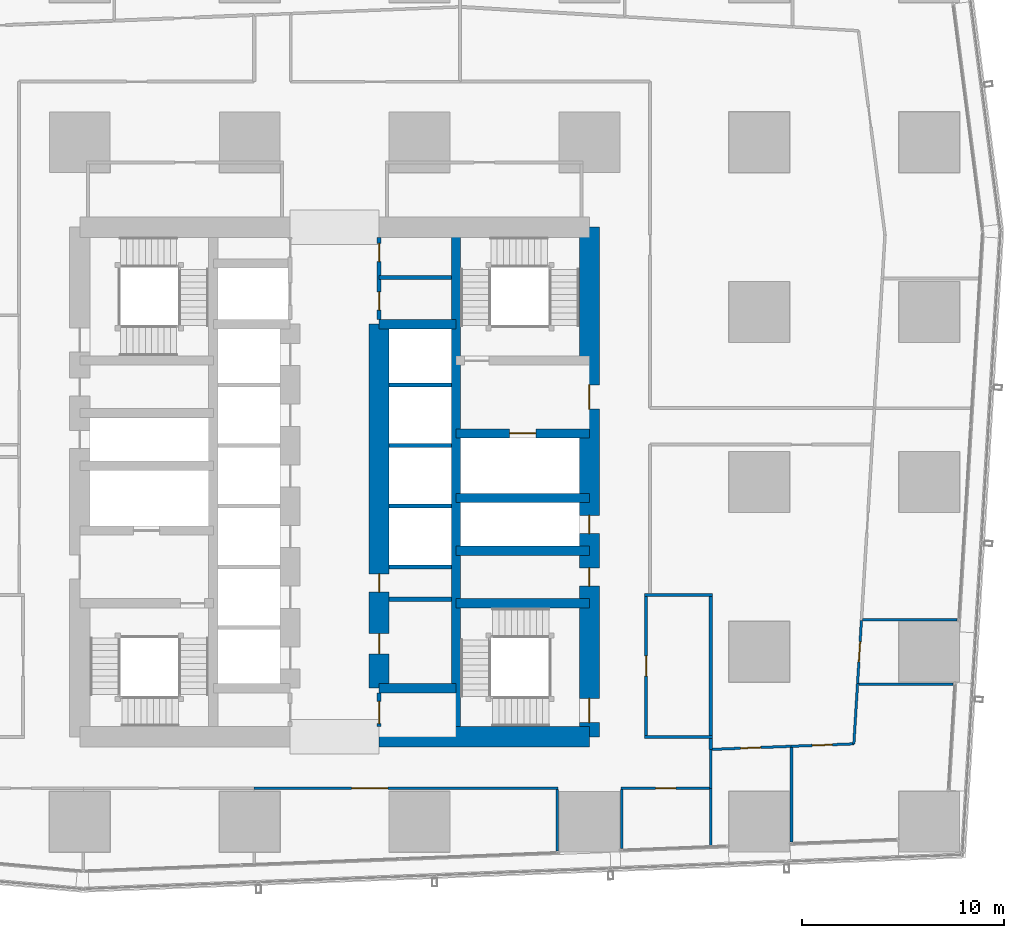
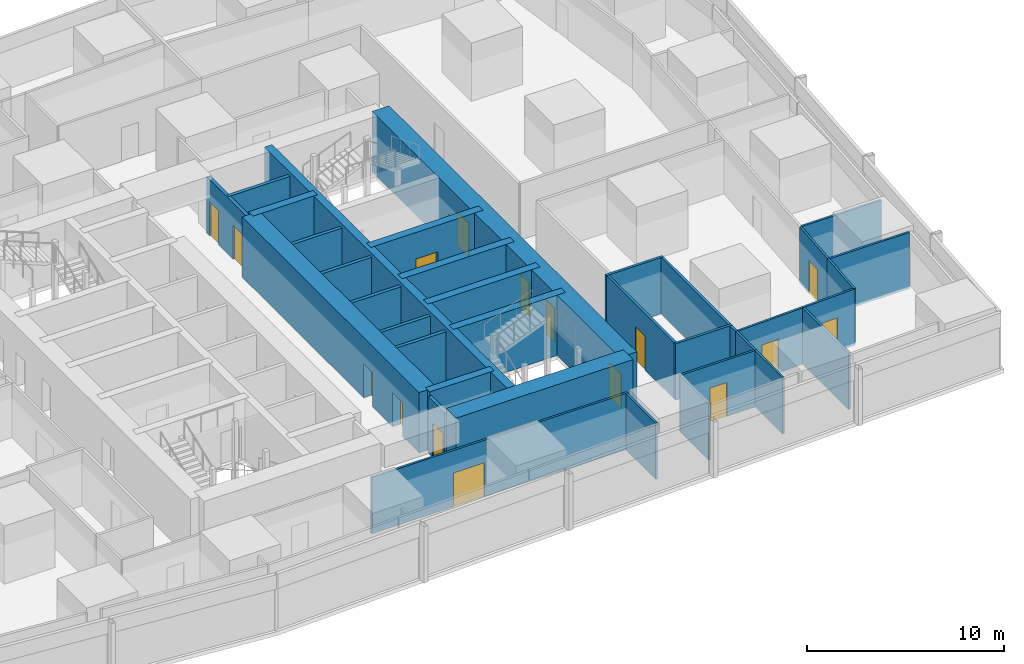
# One storey, part 30 of 39: 36 walls, 16 doors, 16 openings.
"""IFC4 building model written with IfcOpenShell, lengths in metres."""

from ifc_helpers import new_model, si_unit, direction, frame, frame_2d, origin, place, context, subcontext, project, spatial, rectangle, extrude, material, layer, layer_set, type_object, element, fill, save


model = new_model("IFC4")

# Units and contexts
model_context = context("Model", 3, precision=1e-05, world=origin(), true_north=direction((0.0, 1.0)))
body_context = subcontext(model_context, "Body", "Model", "MODEL_VIEW")
ifc_project = project(units=[si_unit("LENGTHUNIT", "METRE"), si_unit("AREAUNIT", "SQUARE_METRE"), si_unit("VOLUMEUNIT", "CUBIC_METRE"), si_unit("PLANEANGLEUNIT", "RADIAN"), si_unit("MASSUNIT", "GRAM", prefix="KILO")], contexts=[model_context])

# Site, building, storey
site_placement = place(None, origin())
site = spatial("IfcSite", under=ifc_project, at=site_placement, CompositionType="ELEMENT")
building_placement = place(site_placement, origin())
building = spatial("IfcBuilding", under=site, at=building_placement, Name="Rekha Terrace Tower", CompositionType="ELEMENT")
storey_placement = place(building_placement, frame((0.0, 0.0, 155.300048828125)))
storey = spatial("IfcBuildingStorey", under=building, at=storey_placement, Name="L39", CompositionType="ELEMENT", Elevation=155.300048828125)

# Walls
ifc_material_1 = material(Name="Concrete M70", Category="concrete")
ifc_layer_1 = layer(ifc_material_1, 0.449951171875)
ifc_layer_set_1 = layer_set([ifc_layer_1], Name="Concrete M70")
wall_type_1 = type_object("IfcWallType", Name="CI2 450 core internal shear wall", PredefinedType="SHEAR", material=ifc_layer_set_1)
wall_1_placement = place(storey_placement, frame((43.800048828125, 21.0, 0.0), z_axis=(0.0, 0.0, 1.0), x_axis=(0.0, 1.0, 0.0)))
element("IfcWall", 1, at=wall_1_placement, inside=storey, type_object=wall_type_1, Name="Core wall X438 L39", PredefinedType="SHEAR", context=body_context, shape_type="SweptSolid", body=[
    extrude(rectangle(XDim=25.199951171875, YDim=0.449951171875, at=frame_2d((12.60009765625, 0.0))), origin(), (0.0, 0.0, 1.0), 3.75),
])
for number, where, z_axis, x_axis, name in (
    (2, (40.0, 23.39990234375, 0.0), (0.0, 0.0, 1.0), (1.0, 0.0, 0.0), "Core wall Y234E L39"),
    (3, (40.0, 41.39990234375, 0.0), (0.0, 0.0, 1.0), (1.0, 0.0, 0.0), "Core wall Y414E L39"),
):
    element("IfcWall", number, at=place(storey_placement, frame(where, z_axis=z_axis, x_axis=x_axis)), inside=storey, type_object=wall_type_1, Name=name, PredefinedType="SHEAR", context=body_context, shape_type="SweptSolid", body=[
        extrude(rectangle(XDim=3.800048828125, YDim=0.449951171875, at=frame_2d((1.89990234375, 0.0))), origin(), (0.0, 0.0, 1.0), 3.75),
    ])
for number, where, z_axis, x_axis, name in (
    (4, (43.800048828125, 27.60009765625, 0.0), (0.0, 0.0, 1.0), (1.0, 0.0, 0.0), "Core wall Y276E L39"),
    (5, (43.800048828125, 30.199951171875, 0.0), (0.0, 0.0, 1.0), (1.0, 0.0, 0.0), "Core wall Y302E L39"),
    (6, (43.800048828125, 32.800048828125, 0.0), (0.0, 0.0, 1.0), (1.0, 0.0, 0.0), "Core wall Y328E L39"),
):
    element("IfcWall", number, at=place(storey_placement, frame(where, z_axis=z_axis, x_axis=x_axis)), inside=storey, type_object=wall_type_1, Name=name, PredefinedType="SHEAR", context=body_context, shape_type="SweptSolid", body=[
        extrude(rectangle(XDim=6.599853515625, YDim=0.449951171875, at=frame_2d((3.2998046875, 0.0))), origin(), (0.0, 0.0, 1.0), 3.75),
    ])

# Wall, opening, door
wall_2_placement = place(storey_placement, frame((43.800048828125, 36.0, 0.0), z_axis=(0.0, 0.0, 1.0), x_axis=(1.0, 0.0, 0.0)))
wall_2 = element("IfcWall", 7, at=wall_2_placement, inside=storey, type_object=wall_type_1, Name="Core wall Y360E L39", PredefinedType="SHEAR", context=body_context, shape_type="SweptSolid", body=[
    extrude(rectangle(XDim=6.599853515625, YDim=0.449951171875, at=frame_2d((3.2998046875, 0.0))), origin(), (0.0, 0.0, 1.0), 3.75),
])
opening_1_placement = place(wall_2_placement, frame((2.64990234375, 0.0, 0.0)))
opening_1 = element("IfcOpeningElement", 8, at=opening_1_placement, cuts=wall_2, Name="Opening LD2", PredefinedType="OPENING", context=body_context, shape_type="SweptSolid", body=[
    extrude(rectangle(XDim=1.300048828125, YDim=2.10009765625, at=frame_2d((0.64990234375, 1.050048828125))), frame((0.0, 0.23486328125, 0.0), z_axis=(0.0, -1.0, 0.0), x_axis=(1.0, 0.0, 0.0)), (0.0, 0.0, 1.0), 0.469970703125),
])
ifc_material_2 = material(Name="Stainless steel sliding landing door", Category="steel")
door_type_1 = type_object("IfcDoorType", Name="LD2 1300x2100 fire lift landing door", OperationType="SLIDING_TO_LEFT", PredefinedType="USERDEFINED", material=ifc_material_2)
door_1_placement = place(opening_1_placement, origin())
door_1 = element("IfcDoor", 9, at=door_1_placement, inside=storey, type_object=door_type_1, Name="Lift FL2 landing door L39", ObjectType="LIFT LANDING DOOR", OperationType="SLIDING_TO_LEFT", OverallHeight=2.10009765625, OverallWidth=1.300048828125, PredefinedType="USERDEFINED", context=body_context, shape_type="SweptSolid", body=[
    extrude(rectangle(XDim=1.300048828125, YDim=2.10009765625, at=frame_2d((0.64990234375, 1.050048828125))), frame((0.0, 0.02490234375, 0.0), z_axis=(0.0, -1.0, 0.0), x_axis=(1.0, 0.0, 0.0)), (0.0, 0.0, 1.0), 0.050048828125),
])
fill(opening_1, door_1)

# Wall, openings, doors
ifc_layer_2 = layer(ifc_material_1, 1.0)
ifc_layer_set_2 = layer_set([ifc_layer_2], Name="Concrete M70")
wall_type_2 = type_object("IfcWallType", Name="LW2 1000 core lobby wall at an outrigger level", PredefinedType="SHEAR", material=ifc_layer_set_2)
wall_3_placement = place(storey_placement, frame((40.0, 23.39990234375, 0.0), z_axis=(0.0, 0.0, 1.0), x_axis=(0.0, 1.0, 0.0)))
wall_3 = element("IfcWall", 10, at=wall_3_placement, inside=storey, type_object=wall_type_2, Name="Core wall X400 L39", PredefinedType="SHEAR", context=body_context, shape_type="SweptSolid", body=[
    extrude(rectangle(XDim=18.0, YDim=1.0, at=frame_2d((9.0, 0.0))), origin(), (0.0, 0.0, 1.0), 3.75),
])
opening_2_placement = place(wall_3_placement, frame((1.699951171875, 0.0, 0.0)))
opening_2 = element("IfcOpeningElement", 11, at=opening_2_placement, cuts=wall_3, Name="Opening D9", PredefinedType="OPENING", context=body_context, shape_type="SweptSolid", body=[
    extrude(rectangle(XDim=1.0, YDim=2.10009765625, at=frame_2d((0.5, 1.050048828125))), frame((0.0, 0.510009765625, 0.0), z_axis=(0.0, -1.0, 0.0), x_axis=(1.0, 0.0, 0.0)), (0.0, 0.0, 1.0), 1.02001953125),
])
opening_3_placement = place(wall_3_placement, frame((4.75, 0.0, 0.0)))
opening_3 = element("IfcOpeningElement", 12, at=opening_3_placement, cuts=wall_3, Name="Opening D5", PredefinedType="OPENING", context=body_context, shape_type="SweptSolid", body=[
    extrude(rectangle(XDim=0.89990234375, YDim=2.10009765625, at=frame_2d((0.449951171875, 1.050048828125))), frame((0.0, 0.510009765625, 0.0), z_axis=(0.0, -1.0, 0.0), x_axis=(1.0, 0.0, 0.0)), (0.0, 0.0, 1.0), 1.02001953125),
])
ifc_material_3 = material(Name="Steel fire door", Category="steel")
door_type_2 = type_object("IfcDoorType", Name="D5 900x2100 riser access door", OperationType="SINGLE_SWING_LEFT", PredefinedType="DOOR", material=ifc_material_3)
door_2_placement = place(opening_3_placement, origin())
door_2 = element("IfcDoor", 13, at=door_2_placement, inside=storey, type_object=door_type_2, Name="Door records store L39", OperationType="SINGLE_SWING_LEFT", OverallHeight=2.10009765625, OverallWidth=0.89990234375, PredefinedType="DOOR", context=body_context, shape_type="SweptSolid", body=[
    extrude(rectangle(XDim=0.89990234375, YDim=2.10009765625, at=frame_2d((0.449951171875, 1.050048828125))), frame((0.0, 0.02490234375, 0.0), z_axis=(0.0, -1.0, 0.0), x_axis=(1.0, 0.0, 0.0)), (0.0, 0.0, 1.0), 0.050048828125),
])
fill(opening_3, door_2)
ifc_material_4 = material(Name="Timber fire door", Category="wood")
door_type_3 = type_object("IfcDoorType", Name="D9 1000x2100 office door", OperationType="SINGLE_SWING_LEFT", PredefinedType="DOOR", material=ifc_material_4)
door_3_placement = place(opening_2_placement, origin())
door_3 = element("IfcDoor", 14, at=door_3_placement, inside=storey, type_object=door_type_3, Name="Door pantry and vending room L39", OperationType="SINGLE_SWING_LEFT", OverallHeight=2.10009765625, OverallWidth=1.0, PredefinedType="DOOR", context=body_context, shape_type="SweptSolid", body=[
    extrude(rectangle(XDim=1.0, YDim=2.10009765625, at=frame_2d((0.5, 1.050048828125))), frame((0.0, 0.02490234375, 0.0), z_axis=(0.0, -1.0, 0.0), x_axis=(1.0, 0.0, 0.0)), (0.0, 0.0, 1.0), 0.050048828125),
])
fill(opening_2, door_3)

# Wall
ifc_layer_3 = layer(ifc_material_1, 1.0)
ifc_layer_set_3 = layer_set([ifc_layer_3], Name="Concrete M70")
wall_type_3 = type_object("IfcWallType", Name="SW2 1000 core outer shear wall", PredefinedType="SHEAR", material=ifc_layer_set_3)
wall_4_placement = place(storey_placement, frame((40.0, 21.0, 0.0), z_axis=(0.0, 0.0, 1.0), x_axis=(1.0, 0.0, 0.0)))
element("IfcWall", 15, at=wall_4_placement, inside=storey, type_object=wall_type_3, Name="Core wall S2 L39", PredefinedType="SHEAR", context=body_context, shape_type="SweptSolid", body=[
    extrude(rectangle(XDim=10.39990234375, YDim=1.0, at=frame_2d((5.199951171875, 0.0))), origin(), (0.0, 0.0, 1.0), 3.75),
])

# Wall, openings, doors
wall_5_placement = place(storey_placement, frame((50.39990234375, 21.0, 0.0), z_axis=(0.0, 0.0, 1.0), x_axis=(0.0, 1.0, 0.0)))
wall_5 = element("IfcWall", 16, at=wall_5_placement, inside=storey, type_object=wall_type_3, Name="Core wall E L39", PredefinedType="SHEAR", context=body_context, shape_type="SweptSolid", body=[
    extrude(rectangle(XDim=25.199951171875, YDim=1.0, at=frame_2d((12.60009765625, 0.0))), origin(), (0.0, 0.0, 1.0), 3.75),
])
opening_4_placement = place(wall_5_placement, frame((16.199951171875, 0.0, 0.0)))
opening_4 = element("IfcOpeningElement", 17, at=opening_4_placement, cuts=wall_5, Name="Opening D2", PredefinedType="OPENING", context=body_context, shape_type="SweptSolid", body=[
    extrude(rectangle(XDim=1.199951171875, YDim=2.10009765625, at=frame_2d((0.60009765625, 1.050048828125))), frame((0.0, 0.510009765625, 0.0), z_axis=(0.0, -1.0, 0.0), x_axis=(1.0, 0.0, 0.0)), (0.0, 0.0, 1.0), 1.02001953125),
])
opening_5_placement = place(wall_5_placement, frame((10.050048828125, 0.0, 0.0)))
opening_5 = element("IfcOpeningElement", 18, at=opening_5_placement, cuts=wall_5, Name="Opening D5", PredefinedType="OPENING", context=body_context, shape_type="SweptSolid", body=[
    extrude(rectangle(XDim=0.89990234375, YDim=2.10009765625, at=frame_2d((0.449951171875, 1.050048828125))), frame((0.0, 0.510009765625, 0.0), z_axis=(0.0, -1.0, 0.0), x_axis=(1.0, 0.0, 0.0)), (0.0, 0.0, 1.0), 1.02001953125),
])
opening_6_placement = place(wall_5_placement, frame((7.449951171875, 0.0, 0.0)))
opening_6 = element("IfcOpeningElement", 19, at=opening_6_placement, cuts=wall_5, Name="Opening D5", PredefinedType="OPENING", context=body_context, shape_type="SweptSolid", body=[
    extrude(rectangle(XDim=0.89990234375, YDim=2.10009765625, at=frame_2d((0.449951171875, 1.050048828125))), frame((0.0, 0.510009765625, 0.0), z_axis=(0.0, -1.0, 0.0), x_axis=(1.0, 0.0, 0.0)), (0.0, 0.0, 1.0), 1.02001953125),
])
opening_7_placement = place(wall_5_placement, frame((0.699951171875, 0.0, 0.0)))
opening_7 = element("IfcOpeningElement", 20, at=opening_7_placement, cuts=wall_5, Name="Opening D1", PredefinedType="OPENING", context=body_context, shape_type="SweptSolid", body=[
    extrude(rectangle(XDim=1.199951171875, YDim=2.10009765625, at=frame_2d((0.60009765625, 1.050048828125))), frame((0.0, 0.510009765625, 0.0), z_axis=(0.0, -1.0, 0.0), x_axis=(1.0, 0.0, 0.0)), (0.0, 0.0, 1.0), 1.02001953125),
])
door_type_4 = type_object("IfcDoorType", Name="D1 1200x2100 stair fire door", OperationType="SINGLE_SWING_RIGHT", PredefinedType="DOOR", material=ifc_material_3)
door_4_placement = place(opening_7_placement, origin())
door_4 = element("IfcDoor", 21, at=door_4_placement, inside=storey, type_object=door_type_4, Name="Stair ST3 door L39", OperationType="SINGLE_SWING_RIGHT", OverallHeight=2.10009765625, OverallWidth=1.199951171875, PredefinedType="DOOR", context=body_context, shape_type="SweptSolid", body=[
    extrude(rectangle(XDim=1.199951171875, YDim=2.10009765625, at=frame_2d((0.60009765625, 1.050048828125))), frame((0.0, 0.02490234375, 0.0), z_axis=(0.0, -1.0, 0.0), x_axis=(1.0, 0.0, 0.0)), (0.0, 0.0, 1.0), 0.050048828125),
])
fill(opening_7, door_4)
door_type_5 = type_object("IfcDoorType", Name="D2 1200x2100 firefighting lobby door", OperationType="SINGLE_SWING_LEFT", PredefinedType="DOOR", material=ifc_material_3)
door_5_placement = place(opening_4_placement, origin())
door_5 = element("IfcDoor", 22, at=door_5_placement, inside=storey, type_object=door_type_5, Name="Door flb2 L39", OperationType="SINGLE_SWING_LEFT", OverallHeight=2.10009765625, OverallWidth=1.199951171875, PredefinedType="DOOR", context=body_context, shape_type="SweptSolid", body=[
    extrude(rectangle(XDim=1.199951171875, YDim=2.10009765625, at=frame_2d((0.60009765625, 1.050048828125))), frame((0.0, 0.02490234375, 0.0), z_axis=(0.0, -1.0, 0.0), x_axis=(1.0, 0.0, 0.0)), (0.0, 0.0, 1.0), 0.050048828125),
])
fill(opening_4, door_5)
door_6_placement = place(opening_5_placement, origin())
door_6 = element("IfcDoor", 23, at=door_6_placement, inside=storey, type_object=door_type_2, Name="Door rs2 L39", OperationType="SINGLE_SWING_LEFT", OverallHeight=2.10009765625, OverallWidth=0.89990234375, PredefinedType="DOOR", context=body_context, shape_type="SweptSolid", body=[
    extrude(rectangle(XDim=0.89990234375, YDim=2.10009765625, at=frame_2d((0.449951171875, 1.050048828125))), frame((0.0, 0.02490234375, 0.0), z_axis=(0.0, -1.0, 0.0), x_axis=(1.0, 0.0, 0.0)), (0.0, 0.0, 1.0), 0.050048828125),
])
fill(opening_5, door_6)
door_7_placement = place(opening_6_placement, origin())
door_7 = element("IfcDoor", 24, at=door_7_placement, inside=storey, type_object=door_type_2, Name="Door ele L39", OperationType="SINGLE_SWING_LEFT", OverallHeight=2.10009765625, OverallWidth=0.89990234375, PredefinedType="DOOR", context=body_context, shape_type="SweptSolid", body=[
    extrude(rectangle(XDim=0.89990234375, YDim=2.10009765625, at=frame_2d((0.449951171875, 1.050048828125))), frame((0.0, 0.02490234375, 0.0), z_axis=(0.0, -1.0, 0.0), x_axis=(1.0, 0.0, 0.0)), (0.0, 0.0, 1.0), 0.050048828125),
])
fill(opening_6, door_7)

# Walls
ifc_material_5 = material(Name="Concrete block masonry, 1 hour", Category="masonry")
ifc_layer_4 = layer(ifc_material_5, 0.14990234375)
ifc_layer_set_4 = layer_set([ifc_layer_4], Name="Concrete block masonry, 1 hour")
wall_type_4 = type_object("IfcWallType", Name="WP2 150 tenancy partition", PredefinedType="PARTITIONING", material=ifc_layer_set_4)
for number, where, z_axis, x_axis, name in (
    (25, (53.125, 21.0, 0.0), (0.0, 0.0, 1.0), (1.0, 0.0, 0.0), "Men's WC wall L39"),
    (26, (53.125, 28.0, 0.0), (0.0, 0.0, 1.0), (1.0, 0.0, 0.0), "Men's WC wall L39"),
):
    element("IfcWall", number, at=place(storey_placement, frame(where, z_axis=z_axis, x_axis=x_axis)), inside=storey, type_object=wall_type_4, Name=name, PredefinedType="PARTITIONING", context=body_context, shape_type="SweptSolid", body=[
        extrude(rectangle(XDim=3.35009765625, YDim=0.14990234375, at=frame_2d((1.675048828125, 0.0))), origin(), (0.0, 0.0, 1.0), 3.5),
    ])

# Wall, opening, door
wall_6_placement = place(storey_placement, frame((53.199951171875, 21.074951171875, 0.0), z_axis=(0.0, 0.0, 1.0), x_axis=(0.0, 1.0, 0.0)))
wall_6 = element("IfcWall", 27, at=wall_6_placement, inside=storey, type_object=wall_type_4, Name="Men's WC wall L39", PredefinedType="PARTITIONING", context=body_context, shape_type="SweptSolid", body=[
    extrude(rectangle(XDim=6.85009765625, YDim=0.14990234375, at=frame_2d((3.425048828125, 0.0))), origin(), (0.0, 0.0, 1.0), 3.5),
])
opening_8_placement = place(wall_6_placement, frame((2.925048828125, 0.0, 0.0)))
opening_8 = element("IfcOpeningElement", 28, at=opening_8_placement, cuts=wall_6, Name="Opening D3", PredefinedType="OPENING", context=body_context, shape_type="SweptSolid", body=[
    extrude(rectangle(XDim=1.0, YDim=2.10009765625, at=frame_2d((0.5, 1.050048828125))), frame((0.0, 0.0849609375, 0.0), z_axis=(0.0, -1.0, 0.0), x_axis=(1.0, 0.0, 0.0)), (0.0, 0.0, 1.0), 0.169921875),
])
ifc_material_6 = material(Name="Laminated timber fire door", Category="wood")
door_type_6 = type_object("IfcDoorType", Name="D3 1000x2100 WC door", OperationType="SINGLE_SWING_LEFT", PredefinedType="DOOR", material=ifc_material_6)
door_8_placement = place(opening_8_placement, origin())
door_8 = element("IfcDoor", 29, at=door_8_placement, inside=storey, type_object=door_type_6, Name="Door men's wc L39", OperationType="SINGLE_SWING_LEFT", OverallHeight=2.10009765625, OverallWidth=1.0, PredefinedType="DOOR", context=body_context, shape_type="SweptSolid", body=[
    extrude(rectangle(XDim=1.0, YDim=2.10009765625, at=frame_2d((0.5, 1.050048828125))), frame((0.0, 0.02490234375, 0.0), z_axis=(0.0, -1.0, 0.0), x_axis=(1.0, 0.0, 0.0)), (0.0, 0.0, 1.0), 0.050048828125),
])
fill(opening_8, door_8)

# Walls
wall_7_placement = place(storey_placement, frame((56.39990234375, 21.074951171875, 0.0), z_axis=(0.0, 0.0, 1.0), x_axis=(0.0, 1.0, 0.0)))
element("IfcWall", 30, at=wall_7_placement, inside=storey, type_object=wall_type_4, Name="Men's WC wall L39", PredefinedType="PARTITIONING", context=body_context, shape_type="SweptSolid", body=[
    extrude(rectangle(XDim=6.85009765625, YDim=0.14990234375, at=frame_2d((3.425048828125, 0.0))), origin(), (0.0, 0.0, 1.0), 3.5),
])
wall_8_placement = place(storey_placement, frame((56.39990234375, 20.3740234375, 0.0), z_axis=(0.0, 0.0, 1.0), x_axis=(0.0, 1.0, 0.0)))
element("IfcWall", 31, at=wall_8_placement, inside=storey, type_object=wall_type_4, Name="Partition L39-O1b", PredefinedType="PARTITIONING", context=body_context, shape_type="SweptSolid", body=[
    extrude(rectangle(XDim=0.551025390625, YDim=0.14990234375, at=frame_2d((0.275390625, 0.0))), origin(), (0.0, 0.0, 1.0), 3.5),
])
ifc_material_7 = material(Name="Two layers of fire-rated gypsum board each side on steel studs, acoustic quilt, 1 hour", Category="steel")
ifc_layer_5 = layer(ifc_material_7, 0.125)
ifc_layer_set_5 = layer_set([ifc_layer_5], Name="Two layers of fire-rated gypsum board each side on steel studs, acoustic quilt, 1 hour")
wall_type_5 = type_object("IfcWallType", Name="WP3 125 office partition", PredefinedType="PARTITIONING", material=ifc_layer_set_5)
wall_9_placement = place(storey_placement, frame((51.991943359375, 15.47900390625, 0.0), z_axis=(0.0, 0.0, 1.0), x_axis=(0.0, 1.0, 0.0)))
element("IfcWall", 32, at=wall_9_placement, inside=storey, type_object=wall_type_5, Name="Partition L39-03", PredefinedType="PARTITIONING", context=body_context, shape_type="SweptSolid", body=[
    extrude(rectangle(XDim=2.907958984375, YDim=0.125, at=frame_2d((1.4541015625, 0.0))), origin(), (0.0, 0.0, 1.0), 3.5),
])

# Wall, opening, door
wall_10_placement = place(storey_placement, frame((51.95703125, 18.449951171875, 0.0), z_axis=(0.0, 0.0, 1.0), x_axis=(1.0, 0.0, 0.0)))
wall_10 = element("IfcWall", 33, at=wall_10_placement, inside=storey, type_object=wall_type_5, Name="Partition L39-03", PredefinedType="PARTITIONING", context=body_context, shape_type="SweptSolid", body=[
    extrude(rectangle(XDim=4.44287109375, YDim=0.125, at=frame_2d((2.221435546875, 0.0))), origin(), (0.0, 0.0, 1.0), 3.5),
])
opening_9_placement = place(wall_10_placement, frame((1.720947265625, 0.0, 0.0)))
opening_9 = element("IfcOpeningElement", 34, at=opening_9_placement, cuts=wall_10, Name="Opening D9", PredefinedType="OPENING", context=body_context, shape_type="SweptSolid", body=[
    extrude(rectangle(XDim=1.0, YDim=2.10009765625, at=frame_2d((0.5, 1.050048828125))), frame((0.0, 0.072509765625, 0.0), z_axis=(0.0, -1.0, 0.0), x_axis=(1.0, 0.0, 0.0)), (0.0, 0.0, 1.0), 0.14501953125),
])
door_9_placement = place(opening_9_placement, origin())
door_9 = element("IfcDoor", 35, at=door_9_placement, inside=storey, type_object=door_type_3, Name="Door quiet room L39", OperationType="SINGLE_SWING_LEFT", OverallHeight=2.10009765625, OverallWidth=1.0, PredefinedType="DOOR", context=body_context, shape_type="SweptSolid", body=[
    extrude(rectangle(XDim=1.0, YDim=2.10009765625, at=frame_2d((0.5, 1.050048828125))), frame((0.0, 0.02490234375, 0.0), z_axis=(0.0, -1.0, 0.0), x_axis=(1.0, 0.0, 0.0)), (0.0, 0.0, 1.0), 0.050048828125),
])
fill(opening_9, door_9)

# Walls
wall_11_placement = place(storey_placement, frame((56.39990234375, 18.449951171875, 0.0), z_axis=(0.0, 0.0, 1.0), x_axis=(0.000345095312, -0.999999940455, 0.0)))
element("IfcWall", 36, at=wall_11_placement, inside=storey, type_object=wall_type_5, Name="Partition L39-03", PredefinedType="PARTITIONING", context=body_context, shape_type="SweptSolid", body=[
    extrude(rectangle(XDim=2.829833984375, YDim=0.125, at=frame_2d((1.4150390625, 0.0))), origin(), (0.0, 0.0, 1.0), 3.5),
])
wall_12_placement = place(storey_placement, frame((56.402099609375, 18.449951171875, 0.0), z_axis=(0.0, 0.0, 1.0), x_axis=(0.0, 1.0, 0.0)))
element("IfcWall", 37, at=wall_12_placement, inside=storey, type_object=wall_type_5, Name="Partition L39-04", PredefinedType="PARTITIONING", context=body_context, shape_type="SweptSolid", body=[
    extrude(rectangle(XDim=1.924072265625, YDim=0.125, at=frame_2d((0.9619140625, 0.0))), origin(), (0.0, 0.0, 1.0), 3.5),
])

# Wall, opening, door
wall_13_placement = place(storey_placement, frame((56.402099609375, 20.3740234375, 0.0), z_axis=(0.0, 0.0, 1.0), x_axis=(0.999241819363, 0.03893310207, 0.0)))
wall_13 = element("IfcWall", 38, at=wall_13_placement, inside=storey, type_object=wall_type_5, Name="Partition L39-04", PredefinedType="PARTITIONING", context=body_context, shape_type="SweptSolid", body=[
    extrude(rectangle(XDim=3.956787109375, YDim=0.125, at=frame_2d((1.978515625, 0.0))), origin(), (0.0, 0.0, 1.0), 3.5),
])
opening_10_placement = place(wall_13_placement, frame((1.47802734375, 0.0, 0.0)))
opening_10 = element("IfcOpeningElement", 39, at=opening_10_placement, cuts=wall_13, Name="Opening D9", PredefinedType="OPENING", context=body_context, shape_type="SweptSolid", body=[
    extrude(rectangle(XDim=1.0, YDim=2.10009765625, at=frame_2d((0.5, 1.050048828125))), frame((0.0, 0.072509765625, 0.0), z_axis=(0.0, -1.0, 0.0), x_axis=(1.0, 0.0, 0.0)), (0.0, 0.0, 1.0), 0.14501953125),
])
door_10_placement = place(opening_10_placement, origin())
door_10 = element("IfcDoor", 40, at=door_10_placement, inside=storey, type_object=door_type_3, Name="Door meeting room L39", OperationType="SINGLE_SWING_LEFT", OverallHeight=2.10009765625, OverallWidth=1.0, PredefinedType="DOOR", context=body_context, shape_type="SweptSolid", body=[
    extrude(rectangle(XDim=1.0, YDim=2.10009765625, at=frame_2d((0.5, 1.050048828125))), frame((0.0, 0.02490234375, 0.0), z_axis=(0.0, -1.0, 0.0), x_axis=(1.0, 0.0, 0.0)), (0.0, 0.0, 1.0), 0.050048828125),
])
fill(opening_10, door_10)

# Walls
wall_14_placement = place(storey_placement, frame((60.39208984375, 20.467041015625, 0.0), z_axis=(0.0, 0.0, 1.0), x_axis=(0.0, -1.0, 0.0)))
element("IfcWall", 41, at=wall_14_placement, inside=storey, type_object=wall_type_5, Name="Partition L39-04", PredefinedType="PARTITIONING", context=body_context, shape_type="SweptSolid", body=[
    extrude(rectangle(XDim=4.6611328125, YDim=0.125, at=frame_2d((2.33056640625, 0.0))), origin(), (0.0, 0.0, 1.0), 3.5),
])
wall_15_placement = place(storey_placement, frame((63.719970703125, 23.60693359375, 0.0), z_axis=(0.0, 0.0, 1.0), x_axis=(1.0, 0.0, 0.0)))
element("IfcWall", 42, at=wall_15_placement, inside=storey, type_object=wall_type_5, Name="Partition L39-05", PredefinedType="PARTITIONING", context=body_context, shape_type="SweptSolid", body=[
    extrude(rectangle(XDim=4.666015625, YDim=0.125, at=frame_2d((2.3330078125, 0.0))), origin(), (0.0, 0.0, 1.0), 3.5),
])

# Wall, opening, door
wall_16_placement = place(storey_placement, frame((60.35693359375, 20.528076171875, 0.0), z_axis=(0.0, 0.0, 1.0), x_axis=(0.999238123198, 0.03902785093, 0.0)))
wall_16 = element("IfcWall", 43, at=wall_16_placement, inside=storey, type_object=wall_type_5, Name="Partition L39-05", PredefinedType="PARTITIONING", context=body_context, shape_type="SweptSolid", body=[
    extrude(rectangle(XDim=3.12158203125, YDim=0.125, at=frame_2d((1.560791015625, 0.0))), origin(), (0.0, 0.0, 1.0), 3.5),
])
opening_11_placement = place(wall_16_placement, frame((1.06103515625, 0.0, 0.0)))
opening_11 = element("IfcOpeningElement", 44, at=opening_11_placement, cuts=wall_16, Name="Opening D9", PredefinedType="OPENING", context=body_context, shape_type="SweptSolid", body=[
    extrude(rectangle(XDim=1.0, YDim=2.10009765625, at=frame_2d((0.5, 1.050048828125))), frame((0.0, 0.072509765625, 0.0), z_axis=(0.0, -1.0, 0.0), x_axis=(1.0, 0.0, 0.0)), (0.0, 0.0, 1.0), 0.14501953125),
])
door_11_placement = place(opening_11_placement, origin())
door_11 = element("IfcDoor", 45, at=door_11_placement, inside=storey, type_object=door_type_3, Name="Door director's office L39", OperationType="SINGLE_SWING_LEFT", OverallHeight=2.10009765625, OverallWidth=1.0, PredefinedType="DOOR", context=body_context, shape_type="SweptSolid", body=[
    extrude(rectangle(XDim=1.0, YDim=2.10009765625, at=frame_2d((0.5, 1.050048828125))), frame((0.0, 0.02490234375, 0.0), z_axis=(0.0, -1.0, 0.0), x_axis=(1.0, 0.0, 0.0)), (0.0, 0.0, 1.0), 0.050048828125),
])
fill(opening_11, door_11)

# Wall
wall_17_placement = place(storey_placement, frame((63.47607421875, 20.64990234375, 0.0), z_axis=(0.0, 0.0, 1.0), x_axis=(0.061018961694, 0.99813660704, 0.0)))
element("IfcWall", 46, at=wall_17_placement, inside=storey, type_object=wall_type_5, Name="Partition L39-05", PredefinedType="PARTITIONING", context=body_context, shape_type="SweptSolid", body=[
    extrude(rectangle(XDim=2.996826171875, YDim=0.125, at=frame_2d((1.49853515625, 0.0))), origin(), (0.0, 0.0, 1.0), 3.5),
])

# Wall, opening, door
wall_18_placement = place(storey_placement, frame((63.658935546875, 23.64208984375, 0.0), z_axis=(0.0, 0.0, 1.0), x_axis=(0.061296286925, 0.99811961468, 0.0)))
wall_18 = element("IfcWall", 47, at=wall_18_placement, inside=storey, type_object=wall_type_5, Name="Partition L39-06", PredefinedType="PARTITIONING", context=body_context, shape_type="SweptSolid", body=[
    extrude(rectangle(XDim=3.11865234375, YDim=0.125, at=frame_2d((1.559326171875, 0.0))), origin(), (0.0, 0.0, 1.0), 3.5),
])
opening_12_placement = place(wall_18_placement, frame((1.05908203125, 0.0, 0.0)))
opening_12 = element("IfcOpeningElement", 48, at=opening_12_placement, cuts=wall_18, Name="Opening D9", PredefinedType="OPENING", context=body_context, shape_type="SweptSolid", body=[
    extrude(rectangle(XDim=1.0, YDim=2.10009765625, at=frame_2d((0.5, 1.050048828125))), frame((0.0, 0.072509765625, 0.0), z_axis=(0.0, -1.0, 0.0), x_axis=(1.0, 0.0, 0.0)), (0.0, 0.0, 1.0), 0.14501953125),
])
door_12_placement = place(opening_12_placement, origin())
door_12 = element("IfcDoor", 49, at=door_12_placement, inside=storey, type_object=door_type_3, Name="Door office L39", OperationType="SINGLE_SWING_LEFT", OverallHeight=2.10009765625, OverallWidth=1.0, PredefinedType="DOOR", context=body_context, shape_type="SweptSolid", body=[
    extrude(rectangle(XDim=1.0, YDim=2.10009765625, at=frame_2d((0.5, 1.050048828125))), frame((0.0, 0.02490234375, 0.0), z_axis=(0.0, -1.0, 0.0), x_axis=(1.0, 0.0, 0.0)), (0.0, 0.0, 1.0), 0.050048828125),
])
fill(opening_12, door_12)

# Wall
wall_19_placement = place(storey_placement, frame((63.9150390625, 26.79296875, 0.0), z_axis=(0.0, 0.0, 1.0), x_axis=(1.0, 0.0, 0.0)))
element("IfcWall", 50, at=wall_19_placement, inside=storey, type_object=wall_type_5, Name="Partition L39-06", PredefinedType="PARTITIONING", context=body_context, shape_type="SweptSolid", body=[
    extrude(rectangle(XDim=4.666015625, YDim=0.125, at=frame_2d((2.3330078125, 0.0))), origin(), (0.0, 0.0, 1.0), 3.5),
])

# Wall, opening, door
wall_20_placement = place(storey_placement, frame((33.825927734375, 18.449951171875, 0.0), z_axis=(0.0, 0.0, 1.0), x_axis=(1.0, 0.0, 0.0)))
wall_20 = element("IfcWall", 51, at=wall_20_placement, inside=storey, type_object=wall_type_5, Name="Partition L39-12", PredefinedType="PARTITIONING", context=body_context, shape_type="SweptSolid", body=[
    extrude(rectangle(XDim=15.02197265625, YDim=0.125, at=frame_2d((7.510986328125, 0.0))), origin(), (0.0, 0.0, 1.0), 3.5),
])
opening_13_placement = place(wall_20_placement, frame((4.81103515625, 0.0, 0.0)))
opening_13 = element("IfcOpeningElement", 52, at=opening_13_placement, cuts=wall_20, Name="Opening D8", PredefinedType="OPENING", context=body_context, shape_type="SweptSolid", body=[
    extrude(rectangle(XDim=1.800048828125, YDim=2.10009765625, at=frame_2d((0.89990234375, 1.050048828125))), frame((0.0, 0.072509765625, 0.0), z_axis=(0.0, -1.0, 0.0), x_axis=(1.0, 0.0, 0.0)), (0.0, 0.0, 1.0), 0.14501953125),
])
door_type_7 = type_object("IfcDoorType", Name="D8 1800x2100 double leaf door", OperationType="DOUBLE_DOOR_SINGLE_SWING", PredefinedType="DOOR", material=ifc_material_4)
door_13_placement = place(opening_13_placement, origin())
door_13 = element("IfcDoor", 53, at=door_13_placement, inside=storey, type_object=door_type_7, Name="Door meeting room L39", OperationType="DOUBLE_DOOR_SINGLE_SWING", OverallHeight=2.10009765625, OverallWidth=1.800048828125, PredefinedType="DOOR", context=body_context, shape_type="SweptSolid", body=[
    extrude(rectangle(XDim=1.800048828125, YDim=2.10009765625, at=frame_2d((0.89990234375, 1.050048828125))), frame((0.0, 0.02490234375, 0.0), z_axis=(0.0, -1.0, 0.0), x_axis=(1.0, 0.0, 0.0)), (0.0, 0.0, 1.0), 0.050048828125),
])
fill(opening_13, door_13)

# Walls
wall_21_placement = place(storey_placement, frame((48.806884765625, 18.386962890625, 0.0), z_axis=(0.0, 0.0, 1.0), x_axis=(0.0, -1.0, 0.0)))
element("IfcWall", 54, at=wall_21_placement, inside=storey, type_object=wall_type_5, Name="Partition L39-12", PredefinedType="PARTITIONING", context=body_context, shape_type="SweptSolid", body=[
    extrude(rectangle(XDim=3.031982421875, YDim=0.125, at=frame_2d((1.51611328125, 0.0))), origin(), (0.0, 0.0, 1.0), 3.5),
])
ifc_material_8 = material(Name="Solid concrete block masonry, 2 hour", Category="masonry")
ifc_layer_6 = layer(ifc_material_8, 0.199951171875)
ifc_layer_set_6 = layer_set([ifc_layer_6], Name="Solid concrete block masonry, 2 hour")
wall_type_6 = type_object("IfcWallType", Name="WS1 200 stair and shaft enclosure", PredefinedType="PARTITIONING", material=ifc_layer_set_6)
for number, where, z_axis, x_axis, name in (
    (55, (40.5, 29.39990234375, 0.0), (0.0, 0.0, 1.0), (1.0, 0.0, 0.0), "Lift shaft divider L39"),
    (56, (40.5, 32.39990234375, 0.0), (0.0, 0.0, 1.0), (1.0, 0.0, 0.0), "Lift shaft divider L39"),
    (57, (40.5, 35.39990234375, 0.0), (0.0, 0.0, 1.0), (1.0, 0.0, 0.0), "Lift shaft divider L39"),
    (58, (40.5, 38.39990234375, 0.0), (0.0, 0.0, 1.0), (1.0, 0.0, 0.0), "Lift shaft divider L39"),
):
    element("IfcWall", number, at=place(storey_placement, frame(where, z_axis=z_axis, x_axis=x_axis)), inside=storey, type_object=wall_type_6, Name=name, PredefinedType="PARTITIONING", context=body_context, shape_type="SweptSolid", body=[
        extrude(rectangle(XDim=3.074951171875, YDim=0.199951171875, at=frame_2d((1.53759765625, 0.0))), origin(), (0.0, 0.0, 1.0), 3.5),
    ])

# Wall, opening, door
wall_22_placement = place(storey_placement, frame((40.0, 21.5, 0.0), z_axis=(0.0, 0.0, 1.0), x_axis=(0.0, 1.0, 0.0)))
wall_22 = element("IfcWall", 59, at=wall_22_placement, inside=storey, type_object=wall_type_6, Name="Core partition wca L39", PredefinedType="PARTITIONING", context=body_context, shape_type="SweptSolid", body=[
    extrude(rectangle(XDim=1.675048828125, YDim=0.199951171875, at=frame_2d((0.83740234375, 0.0))), origin(), (0.0, 0.0, 1.0), 3.5),
])
opening_14_placement = place(wall_22_placement, frame((0.14990234375, 0.0, 0.0)))
opening_14 = element("IfcOpeningElement", 60, at=opening_14_placement, cuts=wall_22, Name="Opening D4", PredefinedType="OPENING", context=body_context, shape_type="SweptSolid", body=[
    extrude(rectangle(XDim=1.10009765625, YDim=2.10009765625, at=frame_2d((0.550048828125, 1.050048828125))), frame((0.0, 0.10986328125, 0.0), z_axis=(0.0, -1.0, 0.0), x_axis=(1.0, 0.0, 0.0)), (0.0, 0.0, 1.0), 0.219970703125),
])
door_type_8 = type_object("IfcDoorType", Name="D4 1100x2100 accessible WC door", OperationType="SLIDING_TO_LEFT", PredefinedType="DOOR", material=ifc_material_6)
door_14_placement = place(opening_14_placement, origin())
door_14 = element("IfcDoor", 61, at=door_14_placement, inside=storey, type_object=door_type_8, Name="Door wca L39", OperationType="SLIDING_TO_LEFT", OverallHeight=2.10009765625, OverallWidth=1.10009765625, PredefinedType="DOOR", context=body_context, shape_type="SweptSolid", body=[
    extrude(rectangle(XDim=1.10009765625, YDim=2.10009765625, at=frame_2d((0.550048828125, 1.050048828125))), frame((0.0, 0.02490234375, 0.0), z_axis=(0.0, -1.0, 0.0), x_axis=(1.0, 0.0, 0.0)), (0.0, 0.0, 1.0), 0.050048828125),
])
fill(opening_14, door_14)

# Wall, openings, doors
wall_23_placement = place(storey_placement, frame((40.0, 41.625, 0.0), z_axis=(0.0, 0.0, 1.0), x_axis=(0.0, 1.0, 0.0)))
wall_23 = element("IfcWall", 62, at=wall_23_placement, inside=storey, type_object=wall_type_6, Name="Core partition elec L39", PredefinedType="PARTITIONING", context=body_context, shape_type="SweptSolid", body=[
    extrude(rectangle(XDim=4.074951171875, YDim=0.199951171875, at=frame_2d((2.03759765625, 0.0))), origin(), (0.0, 0.0, 1.0), 3.5),
])
opening_15_placement = place(wall_23_placement, frame((2.875, 0.0, 0.0)))
opening_15 = element("IfcOpeningElement", 63, at=opening_15_placement, cuts=wall_23, Name="Opening D5", PredefinedType="OPENING", context=body_context, shape_type="SweptSolid", body=[
    extrude(rectangle(XDim=0.89990234375, YDim=2.10009765625, at=frame_2d((0.449951171875, 1.050048828125))), frame((0.0, 0.10986328125, 0.0), z_axis=(0.0, -1.0, 0.0), x_axis=(1.0, 0.0, 0.0)), (0.0, 0.0, 1.0), 0.219970703125),
])
opening_16_placement = place(wall_23_placement, frame((0.47509765625, 0.0, 0.0)))
opening_16 = element("IfcOpeningElement", 64, at=opening_16_placement, cuts=wall_23, Name="Opening D5", PredefinedType="OPENING", context=body_context, shape_type="SweptSolid", body=[
    extrude(rectangle(XDim=0.89990234375, YDim=2.10009765625, at=frame_2d((0.449951171875, 1.050048828125))), frame((0.0, 0.10986328125, 0.0), z_axis=(0.0, -1.0, 0.0), x_axis=(1.0, 0.0, 0.0)), (0.0, 0.0, 1.0), 0.219970703125),
])
door_15_placement = place(opening_15_placement, origin())
door_15 = element("IfcDoor", 65, at=door_15_placement, inside=storey, type_object=door_type_2, Name="Door electrical room L39", OperationType="SINGLE_SWING_LEFT", OverallHeight=2.10009765625, OverallWidth=0.89990234375, PredefinedType="DOOR", context=body_context, shape_type="SweptSolid", body=[
    extrude(rectangle(XDim=0.89990234375, YDim=2.10009765625, at=frame_2d((0.449951171875, 1.050048828125))), frame((0.0, 0.02490234375, 0.0), z_axis=(0.0, -1.0, 0.0), x_axis=(1.0, 0.0, 0.0)), (0.0, 0.0, 1.0), 0.050048828125),
])
fill(opening_15, door_15)
door_16_placement = place(opening_16_placement, origin())
door_16 = element("IfcDoor", 66, at=door_16_placement, inside=storey, type_object=door_type_2, Name="Door records store L39", OperationType="SINGLE_SWING_LEFT", OverallHeight=2.10009765625, OverallWidth=0.89990234375, PredefinedType="DOOR", context=body_context, shape_type="SweptSolid", body=[
    extrude(rectangle(XDim=0.89990234375, YDim=2.10009765625, at=frame_2d((0.449951171875, 1.050048828125))), frame((0.0, 0.02490234375, 0.0), z_axis=(0.0, -1.0, 0.0), x_axis=(1.0, 0.0, 0.0)), (0.0, 0.0, 1.0), 0.050048828125),
])
fill(opening_16, door_16)

# Walls
wall_24_placement = place(storey_placement, frame((40.5, 27.800048828125, 0.0), z_axis=(0.0, 0.0, 1.0), x_axis=(1.0, 0.0, 0.0)))
element("IfcWall", 67, at=wall_24_placement, inside=storey, type_object=wall_type_6, Name="Core partition freed shafts L39", PredefinedType="PARTITIONING", context=body_context, shape_type="SweptSolid", body=[
    extrude(rectangle(XDim=3.074951171875, YDim=0.199951171875, at=frame_2d((1.53759765625, 0.0))), origin(), (0.0, 0.0, 1.0), 3.5),
])
wall_25_placement = place(storey_placement, frame((40.0, 43.699951171875, 0.0), z_axis=(0.0, 0.0, 1.0), x_axis=(1.0, 0.0, 0.0)))
element("IfcWall", 68, at=wall_25_placement, inside=storey, type_object=wall_type_6, Name="Core partition elx L39", PredefinedType="PARTITIONING", context=body_context, shape_type="SweptSolid", body=[
    extrude(rectangle(XDim=3.574951171875, YDim=0.199951171875, at=frame_2d((1.78759765625, 0.0))), origin(), (0.0, 0.0, 1.0), 3.5),
])

save(model, "model.ifc")
